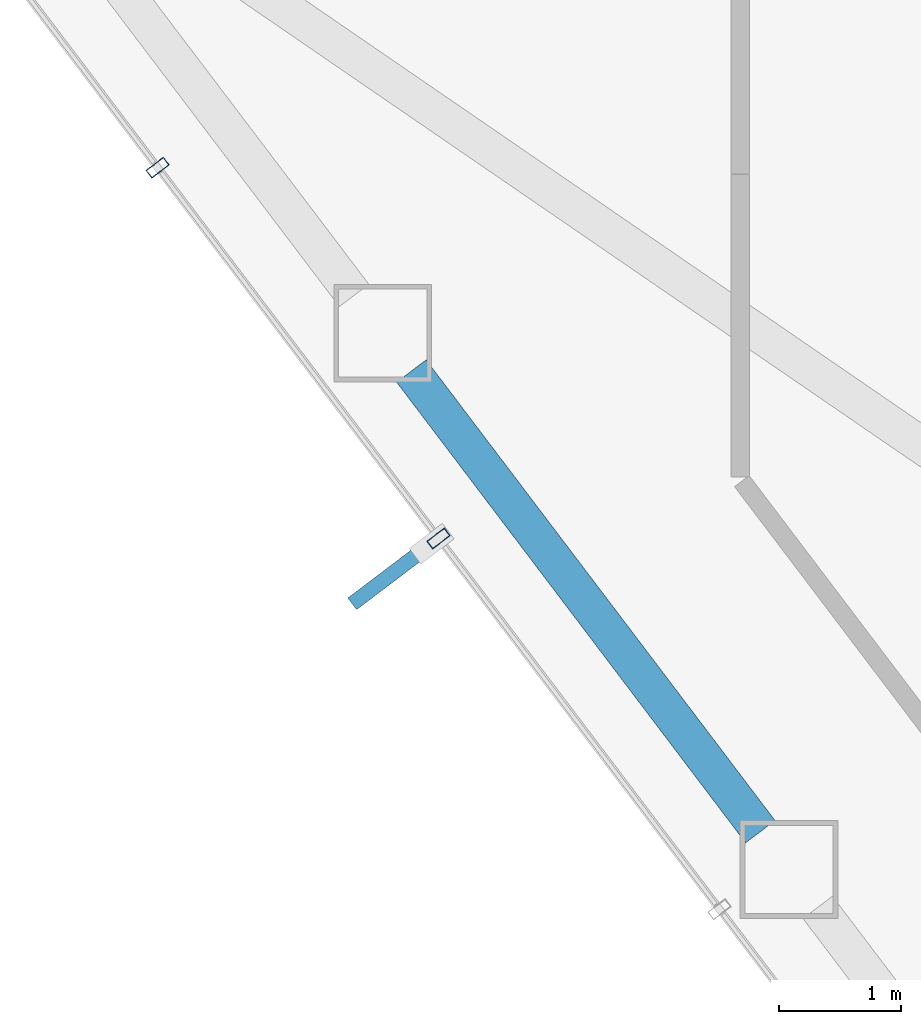
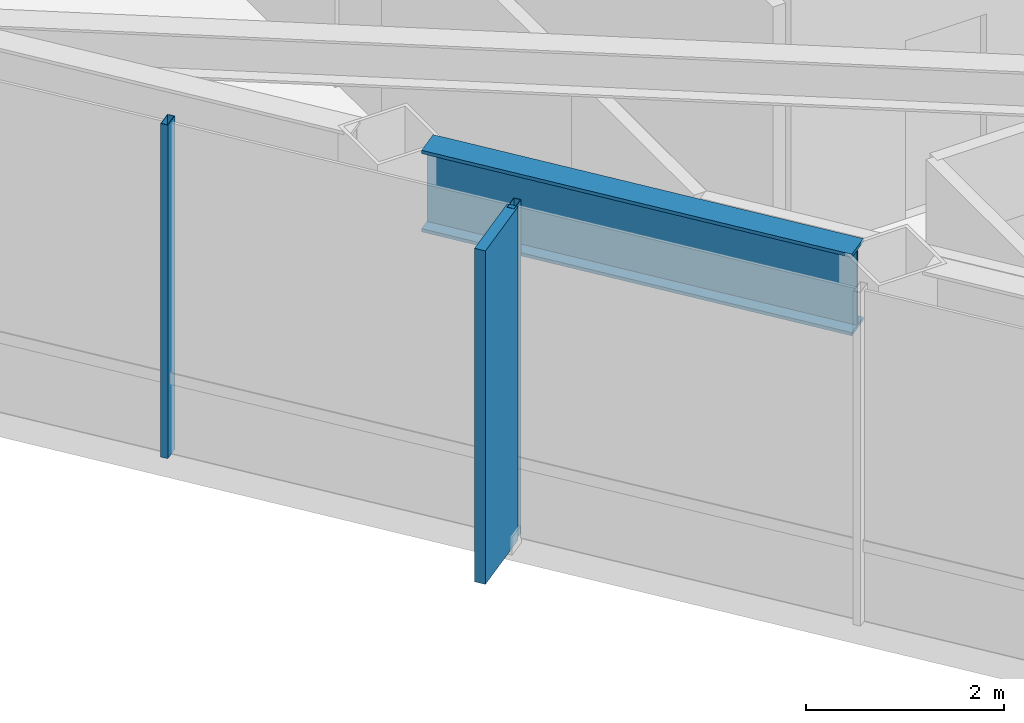
# One storey, part 4 of 27: 3 members, 1 beam, 1 element without a shape of its own.
"""IFC4 building model written with IfcOpenShell, lengths in metres."""

from ifc_helpers import new_model, si_unit, direction, frame, origin, origin_2d, place, context, subcontext, project, spatial, rectangle, hollow_rectangle, i_section, extrude, material, layer, layer_set, material_profile, profile_set, type_object, element, aggregate, save


model = new_model("IFC4")

# Units and contexts
model_context = context("Model", 3, precision=1e-05, world=origin(), true_north=direction((0.0, 1.0)))
body_context = subcontext(model_context, "Body", "Model", "MODEL_VIEW")
ifc_project = project(units=[si_unit("LENGTHUNIT", "METRE"), si_unit("AREAUNIT", "SQUARE_METRE"), si_unit("VOLUMEUNIT", "CUBIC_METRE"), si_unit("PLANEANGLEUNIT", "RADIAN"), si_unit("MASSUNIT", "GRAM", prefix="KILO")], contexts=[model_context])

# Site, building, storey
site_placement = place(None, origin())
site = spatial("IfcSite", under=ifc_project, at=site_placement, CompositionType="ELEMENT")
building_placement = place(site_placement, origin())
building = spatial("IfcBuilding", under=site, at=building_placement, Name="Zarrinselat Tower", CompositionType="ELEMENT")
storey_placement = place(building_placement, frame((0.0, 0.0, 114.580078125)))
storey = spatial("IfcBuildingStorey", under=building, at=storey_placement, Name="L27", CompositionType="ELEMENT", Elevation=114.580078125)

# Beam
ifc_material_1 = material(Name="Steel S460M", Category="steel")
ifc_material_profile_1 = material_profile(ifc_material_1, i_section(OverallWidth=0.302001953125, OverallDepth=1.008056640625, WebThickness=0.02099609375, FlangeThickness=0.0400390625, at=origin_2d()), Name="HEM 1000")
ifc_profile_set_1 = profile_set([ifc_material_profile_1], Name="Steel S460M")
beam_type = type_object("IfcBeamType", Name="BM-HEM1000", PredefinedType="BEAM", material=ifc_profile_set_1)
beam_placement = place(storey_placement, frame((19.960205078125, 31.641357421875, 3.615966796875), z_axis=(0.603870621667, -0.797082349753, 0.0), x_axis=(0.797082349753, 0.603870621667, 0.0)))
element("IfcBeam", 1, at=beam_placement, inside=storey, type_object=beam_type, Name="L27 Perimeter Spandrel Girder SP07", PredefinedType="BEAM", context=body_context, shape_type="SweptSolid", body=[
    extrude(i_section(OverallWidth=0.302001953125, OverallDepth=1.008056640625, WebThickness=0.02099609375, FlangeThickness=0.0400390625, at=origin_2d()), origin(), (0.0, 0.0, 1.0), 4.724609375),
])

# Curtain wall, members
ifc_material_2 = material(Name="Extruded Aluminium Alloy EN AW-6063 T6", Category="aluminium")
ifc_layer = layer(ifc_material_2, 0.195068359375)
ifc_layer_set = layer_set([ifc_layer], Name="Extruded Aluminium Alloy EN AW-6063 T6")
curtain_wall_type = type_object("IfcCurtainWallType", Name="CWS-GDN", PredefinedType="NOTDEFINED", material=ifc_layer_set)
curtain_wall_placement = place(storey_placement, origin())
curtain_wall = element("IfcCurtainWall", 2, at=curtain_wall_placement, inside=storey, type_object=curtain_wall_type, Name="L27 Unitised Curtain Wall CW-L27-E02", PredefinedType="NOTDEFINED")
ifc_material_3 = material(Name="Extruded Aluminium Alloy EN AW-6063 T6", Category="aluminium")
ifc_material_profile_2 = material_profile(ifc_material_3, hollow_rectangle(XDim=0.080078125, YDim=0.179931640625, WallThickness=0.0048828125, at=origin_2d()), Name="RHS 180x80x5")
ifc_profile_set_2 = profile_set([ifc_material_profile_2], Name="Extruded Aluminium Alloy EN AW-6063 T6")
member_type_1 = type_object("IfcMemberType", Name="MEM-CW-MUL", PredefinedType="MULLION", material=ifc_profile_set_2)
member_1_placement = place(storey_placement, frame((20.181884765625, 30.2724609375, 0.0), z_axis=(0.0, 0.0, 1.0), x_axis=(-0.603858025511, 0.79709189246, 0.0)))
member_1 = element("IfcMember", 3, at=member_1_placement, type_object=member_type_1, Name="CW-L27-E02 Mullion 5", PredefinedType="MULLION", context=body_context, shape_type="SweptSolid", body=[
    extrude(hollow_rectangle(XDim=0.080078125, YDim=0.179931640625, WallThickness=0.0048828125, at=origin_2d()), origin(), (0.0, 0.0, 1.0), 4.119873046875),
])
member_2_placement = place(storey_placement, frame((17.885498046875, 33.3037109375, 0.0), z_axis=(0.0, 0.0, 1.0), x_axis=(-0.603858025511, 0.79709189246, 0.0)))
member_2 = element("IfcMember", 4, at=member_2_placement, type_object=member_type_1, Name="CW-L27-E02 Mullion 6", PredefinedType="MULLION", context=body_context, shape_type="SweptSolid", body=[
    extrude(hollow_rectangle(XDim=0.080078125, YDim=0.179931640625, WallThickness=0.0048828125, at=origin_2d()), origin(), (0.0, 0.0, 1.0), 4.119873046875),
])
ifc_material_4 = material(Name="Honed Cream Travertine Stone", Category="masonry")
ifc_material_profile_3 = material_profile(ifc_material_4, rectangle(XDim=0.1201171875, YDim=0.85009765625, at=origin_2d()), Name="FIN 850x120")
ifc_profile_set_3 = profile_set([ifc_material_profile_3], Name="Honed Cream Travertine Stone")
member_type_2 = type_object("IfcMemberType", Name="MEM-STONE-FIN", PredefinedType="USERDEFINED", material=ifc_profile_set_3)
member_3_placement = place(storey_placement, frame((19.815185546875, 29.99462890625, 0.0), z_axis=(0.0, 0.0, 1.0), x_axis=(-0.603858025511, 0.79709189246, 0.0)))
member_3 = element("IfcMember", 5, at=member_3_placement, type_object=member_type_2, Name="L27 Stone Shading Fin CW-L27-E02-05", ObjectType="FIN", PredefinedType="USERDEFINED", context=body_context, shape_type="SweptSolid", body=[
    extrude(rectangle(XDim=0.1201171875, YDim=0.85009765625, at=origin_2d()), origin(), (0.0, 0.0, 1.0), 4.119873046875),
])
aggregate(curtain_wall, [member_1, member_3, member_2])

save(model, "model.ifc")
